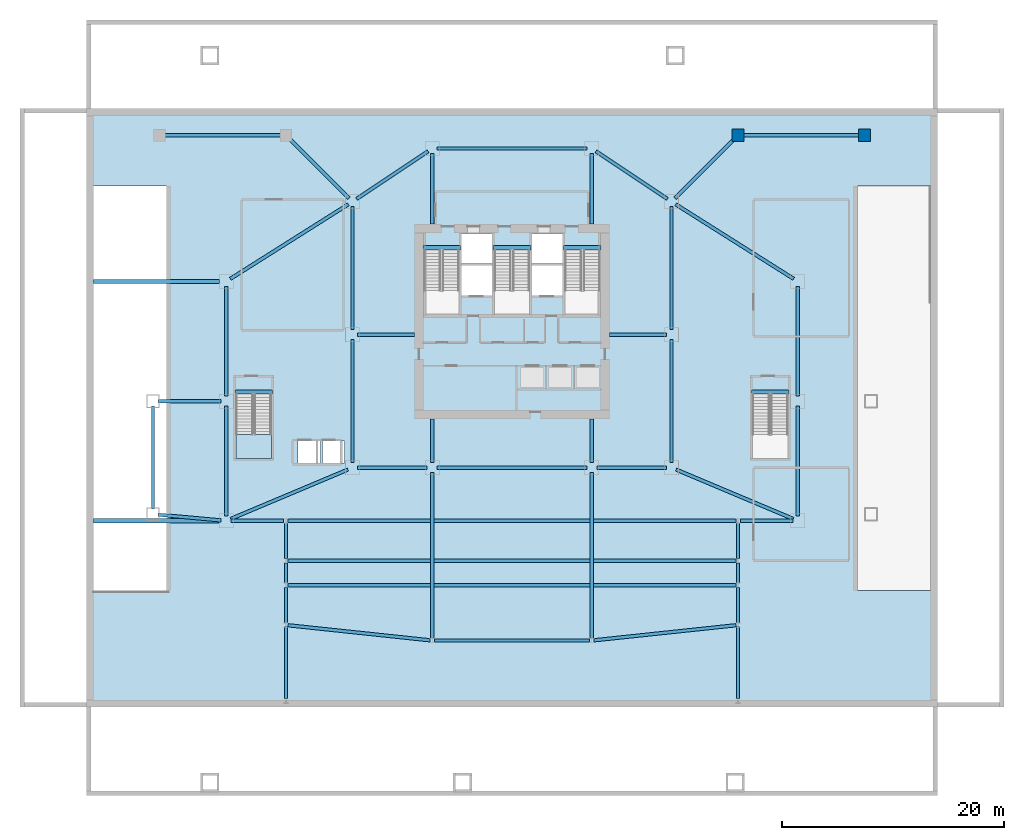
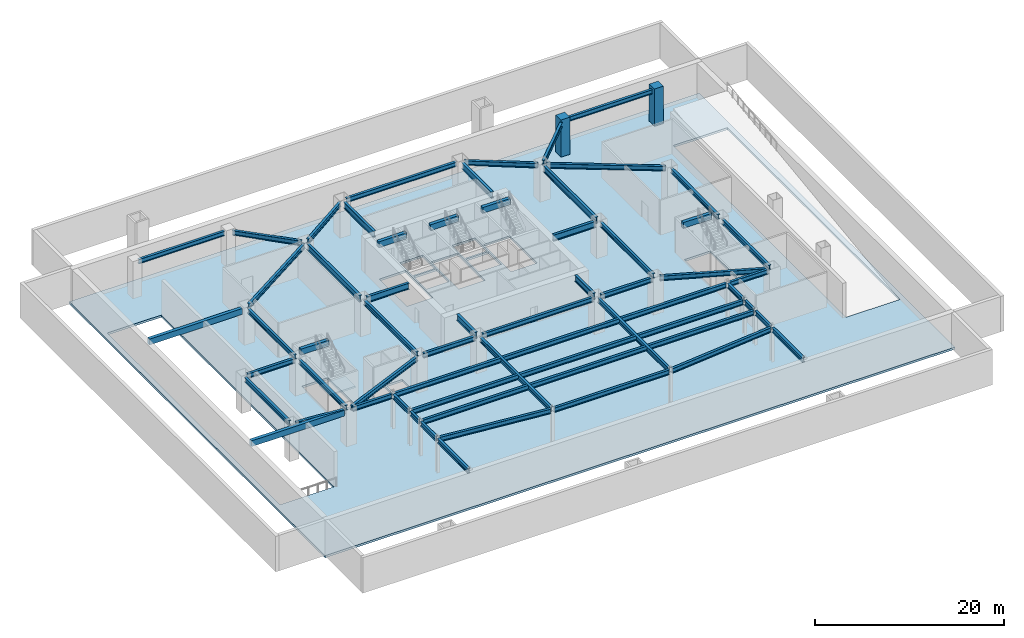
# One storey, part 4 of 15: 56 beams, 2 columns, 2 slabs, 1 element without a shape of its own.
"""IFC4 building model written with IfcOpenShell, lengths in metres."""

from ifc_helpers import new_model, si_unit, direction, frame, origin, origin_2d, place, context, subcontext, project, spatial, polyline, rectangle, i_section, outline, extrude, material, layer, layer_set, material_profile, profile_set, type_object, element, aggregate, save


model = new_model("IFC4")

# Units and contexts
model_context = context("Model", 3, precision=1e-05, world=origin(), true_north=direction((0.0, 1.0)))
body_context = subcontext(model_context, "Body", "Model", "MODEL_VIEW")
ifc_project = project(units=[si_unit("LENGTHUNIT", "METRE"), si_unit("AREAUNIT", "SQUARE_METRE"), si_unit("VOLUMEUNIT", "CUBIC_METRE"), si_unit("PLANEANGLEUNIT", "RADIAN"), si_unit("MASSUNIT", "GRAM", prefix="KILO")], contexts=[model_context])

# Site, building, storey
site_placement = place(None, origin())
site = spatial("IfcSite", under=ifc_project, at=site_placement, CompositionType="ELEMENT")
building_placement = place(site_placement, origin())
building = spatial("IfcBuilding", under=site, at=building_placement, Name="Haolan Belvedere Tower", CompositionType="ELEMENT")
storey_placement = place(building_placement, frame((0.0, 0.0, -4.800048828125)))
storey = spatial("IfcBuildingStorey", under=building, at=storey_placement, Name="B1", CompositionType="ELEMENT", Elevation=-4.800048828125)

# Columns
ifc_material_1 = material(Name="Concrete C50/60", Category="concrete")
ifc_material_profile_1 = material_profile(ifc_material_1, rectangle(XDim=1.10009765625, YDim=1.10009765625, at=origin_2d()), Name="Concrete C50/60")
ifc_profile_set_1 = profile_set([ifc_material_profile_1], Name="Concrete C50/60")
column_type = type_object("IfcColumnType", Name="COL-RC1100x1100", PredefinedType="COLUMN", material=ifc_profile_set_1)
for number, where, z_axis, x_axis, name in (
    (1, (58.800048828125, 51.60009765625, 0.0), (0.0, 0.0, 1.0), (1.0, 0.0, 0.0), "B1 column PC-NE-1 (RC1100x1100)"),
    (2, (70.199951171875, 51.60009765625, 0.0), (0.0, 0.0, 1.0), (1.0, 0.0, 0.0), "B1 column PC-NE-2 (RC1100x1100)"),
):
    element("IfcColumn", number, at=place(storey_placement, frame(where, z_axis=z_axis, x_axis=x_axis)), inside=storey, type_object=column_type, Name=name, PredefinedType="COLUMN", context=body_context, shape_type="SweptSolid", body=[
        extrude(rectangle(XDim=1.10009765625, YDim=1.10009765625, at=origin_2d()), origin(), (0.0, 0.0, 1.0), 4.800048828125),
    ])

# Beams
ifc_material_2 = material(Name="Steel Q355B", Category="steel")
ifc_material_profile_2 = material_profile(ifc_material_2, i_section(OverallWidth=0.300048828125, OverallDepth=0.587890625, WebThickness=0.011962890625, FlangeThickness=0.02001953125, FilletRadius=0.028076171875, at=origin_2d()), Name="Steel Q355B")
ifc_profile_set_2 = profile_set([ifc_material_profile_2], Name="Steel Q355B")
beam_type_1 = type_object("IfcBeamType", Name="BM-HM588x300x12x20", PredefinedType="SPANDREL", material=ifc_profile_set_2)
for number, where, z_axis, x_axis, name in (
    (3, (24.0, 22.050048828125, 4.2060546875), (0.0, 1.0, 0.0), (-1.0, 0.0, 0.0), "B1 spandrel girder MC-T3-SW-MC-T3-MW"),
    (4, (52.800048828125, 22.050048828125, 4.2060546875), (0.0, 1.0, 0.0), (-1.0, 0.0, 0.0), "B1 spandrel girder MC-T3-SE-MC-T3-ME"),
):
    element("IfcBeam", number, at=place(storey_placement, frame(where, z_axis=z_axis, x_axis=x_axis)), inside=storey, type_object=beam_type_1, Name=name, PredefinedType="SPANDREL", context=body_context, shape_type="SweptSolid", body=[
        extrude(i_section(OverallWidth=0.300048828125, OverallDepth=0.587890625, WebThickness=0.011962890625, FlangeThickness=0.02001953125, FilletRadius=0.028076171875, at=origin_2d()), origin(), (0.0, 0.0, 1.0), 11.099853515625),
    ])
for number, where, z_axis, x_axis, name in (
    (5, (24.449951171875, 21.60009765625, 4.2060546875), (1.0, 0.0, 0.0), (0.0, 1.0, 0.0), "B1 spandrel girder MC-T3-SW-MC-T3-S1"),
    (6, (46.050048828125, 21.60009765625, 4.2060546875), (1.0, 0.0, 0.0), (0.0, 1.0, 0.0), "B1 spandrel girder MC-T3-S2-MC-T3-SE"),
):
    element("IfcBeam", number, at=place(storey_placement, frame(where, z_axis=z_axis, x_axis=x_axis)), inside=storey, type_object=beam_type_1, Name=name, PredefinedType="SPANDREL", context=body_context, shape_type="SweptSolid", body=[
        extrude(i_section(OverallWidth=0.300048828125, OverallDepth=0.587890625, WebThickness=0.011962890625, FlangeThickness=0.02001953125, FilletRadius=0.028076171875, at=origin_2d()), origin(), (0.0, 0.0, 1.0), 6.300048828125),
    ])
beam_1_placement = place(storey_placement, frame((31.64990234375, 21.60009765625, 4.2060546875), z_axis=(1.0, 0.0, 0.0), x_axis=(0.0, 1.0, 0.0)))
element("IfcBeam", 7, at=beam_1_placement, inside=storey, type_object=beam_type_1, Name="B1 spandrel girder MC-T3-S1-MC-T3-S2", PredefinedType="SPANDREL", context=body_context, shape_type="SweptSolid", body=[
    extrude(i_section(OverallWidth=0.300048828125, OverallDepth=0.587890625, WebThickness=0.011962890625, FlangeThickness=0.02001953125, FilletRadius=0.028076171875, at=origin_2d()), origin(), (0.0, 0.0, 1.0), 13.5),
])
for number, where, z_axis, x_axis, name in (
    (8, (24.37451171875, 45.849609375, 4.2060546875), (0.832050294338, 0.554700196225, 0.0), (-0.554700196225, 0.832050294338, 0.0), "B1 spandrel girder MC-T3-NW-MC-T3-N1"),
    (9, (45.974365234375, 50.150390625, 4.2060546875), (0.832050294338, -0.554700196225, 0.0), (0.554700196225, 0.832050294338, 0.0), "B1 spandrel girder MC-T3-N2-MC-T3-NE"),
):
    element("IfcBeam", number, at=place(storey_placement, frame(where, z_axis=z_axis, x_axis=x_axis)), inside=storey, type_object=beam_type_1, Name=name, PredefinedType="SPANDREL", context=body_context, shape_type="SweptSolid", body=[
        extrude(i_section(OverallWidth=0.300048828125, OverallDepth=0.587890625, WebThickness=0.011962890625, FlangeThickness=0.02001953125, FilletRadius=0.028076171875, at=origin_2d()), origin(), (0.0, 0.0, 1.0), 7.75341796875),
    ])
beam_2_placement = place(storey_placement, frame((31.64990234375, 50.39990234375, 4.2060546875), z_axis=(1.0, 0.0, 0.0), x_axis=(0.0, 1.0, 0.0)))
element("IfcBeam", 10, at=beam_2_placement, inside=storey, type_object=beam_type_1, Name="B1 spandrel girder MC-T3-N1-MC-T3-N2", PredefinedType="SPANDREL", context=body_context, shape_type="SweptSolid", body=[
    extrude(i_section(OverallWidth=0.300048828125, OverallDepth=0.587890625, WebThickness=0.011962890625, FlangeThickness=0.02001953125, FilletRadius=0.028076171875, at=origin_2d()), origin(), (0.0, 0.0, 1.0), 13.5),
])
for number, where, z_axis, x_axis, name in (
    (11, (12.60009765625, 17.25, 4.2060546875), (0.0, 1.0, 0.0), (-1.0, 0.0, 0.0), "B1 spandrel girder MC-T2-SW-MC-T2-MW"),
    (12, (12.60009765625, 28.050048828125, 4.2060546875), (0.0, 1.0, 0.0), (-1.0, 0.0, 0.0), "B1 spandrel girder MC-T2-MW-MC-T2-NW"),
):
    element("IfcBeam", number, at=place(storey_placement, frame(where, z_axis=z_axis, x_axis=x_axis)), inside=storey, type_object=beam_type_1, Name=name, PredefinedType="SPANDREL", context=body_context, shape_type="SweptSolid", body=[
        extrude(i_section(OverallWidth=0.300048828125, OverallDepth=0.587890625, WebThickness=0.011962890625, FlangeThickness=0.02001953125, FilletRadius=0.028076171875, at=origin_2d()), origin(), (0.0, 0.0, 1.0), 9.89990234375),
    ])
beam_3_placement = place(storey_placement, frame((13.0146484375, 16.974609375, 4.2060546875), z_axis=(0.921637779233, 0.388051290284, 0.0), x_axis=(-0.388051290284, 0.921637779233, 0.0)))
element("IfcBeam", 13, at=beam_3_placement, inside=storey, type_object=beam_type_1, Name="B1 spandrel girder MC-T2-SW-MC-T3-SW", PredefinedType="SPANDREL", context=body_context, shape_type="SweptSolid", body=[
    extrude(i_section(OverallWidth=0.300048828125, OverallDepth=0.587890625, WebThickness=0.011962890625, FlangeThickness=0.02001953125, FilletRadius=0.028076171875, at=origin_2d()), origin(), (0.0, 0.0, 1.0), 11.46923828125),
])
beam_4_placement = place(storey_placement, frame((12.98046875, 38.640380859375, 4.2060546875), z_axis=(0.845497201575, 0.5339798518, 0.0), x_axis=(-0.5339798518, 0.845497201575, 0.0)))
element("IfcBeam", 14, at=beam_4_placement, inside=storey, type_object=beam_type_1, Name="B1 spandrel girder MC-T2-NW-MC-T3-NW", PredefinedType="SPANDREL", context=body_context, shape_type="SweptSolid", body=[
    extrude(i_section(OverallWidth=0.300048828125, OverallDepth=0.587890625, WebThickness=0.011962890625, FlangeThickness=0.02001953125, FilletRadius=0.028076171875, at=origin_2d()), origin(), (0.0, 0.0, 1.0), 12.583251953125),
])
for number, where, z_axis, x_axis, name in (
    (15, (64.199951171875, 17.25, 4.2060546875), (0.0, 1.0, 0.0), (-1.0, 0.0, 0.0), "B1 spandrel girder MC-T4-SE-MC-T4-ME"),
    (16, (64.199951171875, 28.050048828125, 4.2060546875), (0.0, 1.0, 0.0), (-1.0, 0.0, 0.0), "B1 spandrel girder MC-T4-ME-MC-T4-NE"),
):
    element("IfcBeam", number, at=place(storey_placement, frame(where, z_axis=z_axis, x_axis=x_axis)), inside=storey, type_object=beam_type_1, Name=name, PredefinedType="SPANDREL", context=body_context, shape_type="SweptSolid", body=[
        extrude(i_section(OverallWidth=0.300048828125, OverallDepth=0.587890625, WebThickness=0.011962890625, FlangeThickness=0.02001953125, FilletRadius=0.028076171875, at=origin_2d()), origin(), (0.0, 0.0, 1.0), 9.89990234375),
    ])
beam_5_placement = place(storey_placement, frame((53.21484375, 21.42529296875, 4.2060546875), z_axis=(0.92163457375, -0.38805890335, 0.0), x_axis=(0.38805890335, 0.92163457375, 0.0)))
element("IfcBeam", 17, at=beam_5_placement, inside=storey, type_object=beam_type_1, Name="B1 spandrel girder MC-T3-SE-MC-T4-SE", PredefinedType="SPANDREL", context=body_context, shape_type="SweptSolid", body=[
    extrude(i_section(OverallWidth=0.300048828125, OverallDepth=0.587890625, WebThickness=0.011962890625, FlangeThickness=0.02001953125, FilletRadius=0.028076171875, at=origin_2d()), origin(), (0.0, 0.0, 1.0), 11.468994140625),
])
beam_6_placement = place(storey_placement, frame((53.180419921875, 45.359619140625, 4.2060546875), z_axis=(0.845497201575, -0.5339798518, 0.0), x_axis=(0.5339798518, 0.845497201575, 0.0)))
element("IfcBeam", 18, at=beam_6_placement, inside=storey, type_object=beam_type_1, Name="B1 spandrel girder MC-T3-NE-MC-T4-NE", PredefinedType="SPANDREL", context=body_context, shape_type="SweptSolid", body=[
    extrude(i_section(OverallWidth=0.300048828125, OverallDepth=0.587890625, WebThickness=0.011962890625, FlangeThickness=0.02001953125, FilletRadius=0.028076171875, at=origin_2d()), origin(), (0.0, 0.0, 1.0), 12.583251953125),
])
beam_7_placement = place(storey_placement, frame((6.0, 17.85009765625, 4.2060546875), z_axis=(0.0, 1.0, 0.0), x_axis=(-1.0, 0.0, 0.0)))
element("IfcBeam", 19, at=beam_7_placement, inside=storey, type_object=beam_type_1, Name="B1 spandrel girder MC-T1-SW-MC-T1-NW", PredefinedType="SPANDREL", context=body_context, shape_type="SweptSolid", body=[
    extrude(i_section(OverallWidth=0.300048828125, OverallDepth=0.587890625, WebThickness=0.011962890625, FlangeThickness=0.02001953125, FilletRadius=0.028076171875, at=origin_2d()), origin(), (0.0, 0.0, 1.0), 9.2998046875),
])
beam_8_placement = place(storey_placement, frame((6.4482421875, 17.359375, 4.2060546875), z_axis=(0.995892507606, -0.090543433189, 0.0), x_axis=(0.090543433189, 0.995892507606, 0.0)))
element("IfcBeam", 20, at=beam_8_placement, inside=storey, type_object=beam_type_1, Name="B1 spandrel girder MC-T1-SW-MC-T2-SW", PredefinedType="SPANDREL", context=body_context, shape_type="SweptSolid", body=[
    extrude(i_section(OverallWidth=0.300048828125, OverallDepth=0.587890625, WebThickness=0.011962890625, FlangeThickness=0.02001953125, FilletRadius=0.028076171875, at=origin_2d()), origin(), (0.0, 0.0, 1.0), 5.72705078125),
])
beam_9_placement = place(storey_placement, frame((6.449951171875, 27.60009765625, 4.2060546875), z_axis=(1.0, 0.0, 0.0), x_axis=(0.0, 1.0, 0.0)))
element("IfcBeam", 21, at=beam_9_placement, inside=storey, type_object=beam_type_1, Name="B1 spandrel girder MC-T1-NW-MC-T2-MW", PredefinedType="SPANDREL", context=body_context, shape_type="SweptSolid", body=[
    extrude(i_section(OverallWidth=0.300048828125, OverallDepth=0.587890625, WebThickness=0.011962890625, FlangeThickness=0.02001953125, FilletRadius=0.028076171875, at=origin_2d()), origin(), (0.0, 0.0, 1.0), 5.699951171875),
])
beam_10_placement = place(storey_placement, frame((7.050048828125, 51.60009765625, 4.2060546875), z_axis=(1.0, 0.0, 0.0), x_axis=(0.0, 1.0, 0.0)))
element("IfcBeam", 22, at=beam_10_placement, inside=storey, type_object=beam_type_1, Name="B1 spandrel girder PC-NW-1-PC-NW-2", PredefinedType="SPANDREL", context=body_context, shape_type="SweptSolid", body=[
    extrude(i_section(OverallWidth=0.300048828125, OverallDepth=0.587890625, WebThickness=0.011962890625, FlangeThickness=0.02001953125, FilletRadius=0.028076171875, at=origin_2d()), origin(), (0.0, 0.0, 1.0), 10.5),
])
beam_11_placement = place(storey_placement, frame((18.318115234375, 51.28173828125, 4.2060546875), z_axis=(0.707122873923, -0.707090688084, 0.0), x_axis=(0.707090688084, 0.707122873923, 0.0)))
element("IfcBeam", 23, at=beam_11_placement, inside=storey, type_object=beam_type_1, Name="B1 spandrel girder PC-NW-2-MC-T3-NW", PredefinedType="SPANDREL", context=body_context, shape_type="SweptSolid", body=[
    extrude(i_section(OverallWidth=0.300048828125, OverallDepth=0.587890625, WebThickness=0.011962890625, FlangeThickness=0.02001953125, FilletRadius=0.028076171875, at=origin_2d()), origin(), (0.0, 0.0, 1.0), 7.58544921875),
])
beam_12_placement = place(storey_placement, frame((53.1181640625, 45.918212890625, 4.2060546875), z_axis=(0.707106781187, 0.707106781187, 0.0), x_axis=(-0.707106781187, 0.707106781187, 0.0)))
element("IfcBeam", 24, at=beam_12_placement, inside=storey, type_object=beam_type_1, Name="B1 spandrel girder MC-T3-NE-PC-NE-1", PredefinedType="SPANDREL", context=body_context, shape_type="SweptSolid", body=[
    extrude(i_section(OverallWidth=0.300048828125, OverallDepth=0.587890625, WebThickness=0.011962890625, FlangeThickness=0.02001953125, FilletRadius=0.028076171875, at=origin_2d()), origin(), (0.0, 0.0, 1.0), 7.585205078125),
])
beam_13_placement = place(storey_placement, frame((59.25, 51.60009765625, 4.2060546875), z_axis=(1.0, 0.0, 0.0), x_axis=(0.0, 1.0, 0.0)))
element("IfcBeam", 25, at=beam_13_placement, inside=storey, type_object=beam_type_1, Name="B1 spandrel girder PC-NE-1-PC-NE-2", PredefinedType="SPANDREL", context=body_context, shape_type="SweptSolid", body=[
    extrude(i_section(OverallWidth=0.300048828125, OverallDepth=0.587890625, WebThickness=0.011962890625, FlangeThickness=0.02001953125, FilletRadius=0.028076171875, at=origin_2d()), origin(), (0.0, 0.0, 1.0), 10.5),
])
for number, where, z_axis, x_axis, name in (
    (26, (18.0, 0.75, 4.2060546875), (0.0, 1.0, 0.0), (-1.0, 0.0, 0.0), "B1 spandrel girder PC-S0-W-PC-SW-1"),
    (27, (58.800048828125, 0.75, 4.2060546875), (0.0, 1.0, 0.0), (-1.0, 0.0, 0.0), "B1 spandrel girder PC-S0-E-PC-SE-1"),
):
    element("IfcBeam", number, at=place(storey_placement, frame(where, z_axis=z_axis, x_axis=x_axis)), inside=storey, type_object=beam_type_1, Name=name, PredefinedType="SPANDREL", context=body_context, shape_type="SweptSolid", body=[
        extrude(i_section(OverallWidth=0.300048828125, OverallDepth=0.587890625, WebThickness=0.011962890625, FlangeThickness=0.02001953125, FilletRadius=0.028076171875, at=origin_2d()), origin(), (0.0, 0.0, 1.0), 6.449951171875),
    ])
beam_14_placement = place(storey_placement, frame((18.198974609375, 7.37890625, 4.2060546875), z_axis=(0.994421801151, -0.105476449483, 0.0), x_axis=(0.105476449483, 0.994421801151, 0.0)))
element("IfcBeam", 28, at=beam_14_placement, inside=storey, type_object=beam_type_1, Name="B1 spandrel girder PC-SW-1-PC-SM-1", PredefinedType="SPANDREL", context=body_context, shape_type="SweptSolid", body=[
    extrude(i_section(OverallWidth=0.300048828125, OverallDepth=0.587890625, WebThickness=0.011962890625, FlangeThickness=0.02001953125, FilletRadius=0.028076171875, at=origin_2d()), origin(), (0.0, 0.0, 1.0), 12.8740234375),
])
beam_15_placement = place(storey_placement, frame((31.39990234375, 6.0, 4.2060546875), z_axis=(1.0, 0.0, 0.0), x_axis=(0.0, 1.0, 0.0)))
element("IfcBeam", 29, at=beam_15_placement, inside=storey, type_object=beam_type_1, Name="B1 spandrel girder PC-SM-1-PC-SM-2", PredefinedType="SPANDREL", context=body_context, shape_type="SweptSolid", body=[
    extrude(i_section(OverallWidth=0.300048828125, OverallDepth=0.587890625, WebThickness=0.011962890625, FlangeThickness=0.02001953125, FilletRadius=0.028076171875, at=origin_2d()), origin(), (0.0, 0.0, 1.0), 14.0),
])
beam_16_placement = place(storey_placement, frame((45.798828125, 6.02099609375, 4.2060546875), z_axis=(0.994421801151, 0.105476449483, 0.0), x_axis=(-0.105476449483, 0.994421801151, 0.0)))
element("IfcBeam", 30, at=beam_16_placement, inside=storey, type_object=beam_type_1, Name="B1 spandrel girder PC-SM-2-PC-SE-1", PredefinedType="SPANDREL", context=body_context, shape_type="SweptSolid", body=[
    extrude(i_section(OverallWidth=0.300048828125, OverallDepth=0.587890625, WebThickness=0.011962890625, FlangeThickness=0.02001953125, FilletRadius=0.028076171875, at=origin_2d()), origin(), (0.0, 0.0, 1.0), 12.8740234375),
])
for number, where, z_axis, x_axis, name in (
    (31, (18.0, 7.60009765625, 4.2060546875), (0.0, 1.0, 0.0), (-1.0, 0.0, 0.0), "B1 spandrel girder PC-SW-1-PC-CS2-W"),
    (32, (58.800048828125, 7.60009765625, 4.2060546875), (0.0, 1.0, 0.0), (-1.0, 0.0, 0.0), "B1 spandrel girder PC-SE-1-PC-CS2-E"),
):
    element("IfcBeam", number, at=place(storey_placement, frame(where, z_axis=z_axis, x_axis=x_axis)), inside=storey, type_object=beam_type_1, Name=name, PredefinedType="SPANDREL", context=body_context, shape_type="SweptSolid", body=[
        extrude(i_section(OverallWidth=0.300048828125, OverallDepth=0.587890625, WebThickness=0.011962890625, FlangeThickness=0.02001953125, FilletRadius=0.028076171875, at=origin_2d()), origin(), (0.0, 0.0, 1.0), 3.199951171875),
    ])
beam_17_placement = place(storey_placement, frame((18.199951171875, 11.0, 4.2060546875), z_axis=(1.0, 0.0, 0.0), x_axis=(0.0, 1.0, 0.0)))
element("IfcBeam", 33, at=beam_17_placement, inside=storey, type_object=beam_type_1, Name="B1 spandrel girder PC-CS2-W-PC-CS2-E", PredefinedType="SPANDREL", context=body_context, shape_type="SweptSolid", body=[
    extrude(i_section(OverallWidth=0.300048828125, OverallDepth=0.587890625, WebThickness=0.011962890625, FlangeThickness=0.02001953125, FilletRadius=0.028076171875, at=origin_2d()), origin(), (0.0, 0.0, 1.0), 40.400146484375),
])
for number, where, z_axis, x_axis, name in (
    (34, (18.0, 11.199951171875, 4.2060546875), (0.0, 1.0, 0.0), (-1.0, 0.0, 0.0), "B1 spandrel girder PC-CS2-W-PC-CS3-W"),
    (35, (58.800048828125, 11.199951171875, 4.2060546875), (0.0, 1.0, 0.0), (-1.0, 0.0, 0.0), "B1 spandrel girder PC-CS2-E-PC-CS3-E"),
):
    element("IfcBeam", number, at=place(storey_placement, frame(where, z_axis=z_axis, x_axis=x_axis)), inside=storey, type_object=beam_type_1, Name=name, PredefinedType="SPANDREL", context=body_context, shape_type="SweptSolid", body=[
        extrude(i_section(OverallWidth=0.300048828125, OverallDepth=0.587890625, WebThickness=0.011962890625, FlangeThickness=0.02001953125, FilletRadius=0.028076171875, at=origin_2d()), origin(), (0.0, 0.0, 1.0), 1.800048828125),
    ])
beam_18_placement = place(storey_placement, frame((18.199951171875, 13.199951171875, 4.2060546875), z_axis=(1.0, 0.0, 0.0), x_axis=(0.0, 1.0, 0.0)))
element("IfcBeam", 36, at=beam_18_placement, inside=storey, type_object=beam_type_1, Name="B1 spandrel girder PC-CS3-W-PC-CS3-E", PredefinedType="SPANDREL", context=body_context, shape_type="SweptSolid", body=[
    extrude(i_section(OverallWidth=0.300048828125, OverallDepth=0.587890625, WebThickness=0.011962890625, FlangeThickness=0.02001953125, FilletRadius=0.028076171875, at=origin_2d()), origin(), (0.0, 0.0, 1.0), 40.400146484375),
])
for number, where, z_axis, x_axis, name in (
    (37, (18.0, 13.39990234375, 4.2060546875), (0.0, 1.0, 0.0), (-1.0, 0.0, 0.0), "B1 spandrel girder PC-CS3-W-PC-CS4-W"),
    (38, (58.800048828125, 13.39990234375, 4.2060546875), (0.0, 1.0, 0.0), (-1.0, 0.0, 0.0), "B1 spandrel girder PC-CS3-E-PC-CS4-E"),
):
    element("IfcBeam", number, at=place(storey_placement, frame(where, z_axis=z_axis, x_axis=x_axis)), inside=storey, type_object=beam_type_1, Name=name, PredefinedType="SPANDREL", context=body_context, shape_type="SweptSolid", body=[
        extrude(i_section(OverallWidth=0.300048828125, OverallDepth=0.587890625, WebThickness=0.011962890625, FlangeThickness=0.02001953125, FilletRadius=0.028076171875, at=origin_2d()), origin(), (0.0, 0.0, 1.0), 3.2001953125),
    ])
beam_19_placement = place(storey_placement, frame((18.199951171875, 16.800048828125, 4.2060546875), z_axis=(1.0, 0.0, 0.0), x_axis=(0.0, 1.0, 0.0)))
element("IfcBeam", 39, at=beam_19_placement, inside=storey, type_object=beam_type_1, Name="B1 spandrel girder PC-CS4-W-PC-CS4-E", PredefinedType="SPANDREL", context=body_context, shape_type="SweptSolid", body=[
    extrude(i_section(OverallWidth=0.300048828125, OverallDepth=0.587890625, WebThickness=0.011962890625, FlangeThickness=0.02001953125, FilletRadius=0.028076171875, at=origin_2d()), origin(), (0.0, 0.0, 1.0), 40.400146484375),
])
for number, where, z_axis, x_axis, name in (
    (40, (17.800048828125, 16.800048828125, 4.2060546875), (-1.0, 0.0, 0.0), (0.0, -1.0, 0.0), "B1 spandrel girder PC-CS4-W-MC-T2-SW"),
    (41, (59.0, 16.800048828125, 4.2060546875), (1.0, 0.0, 0.0), (0.0, 1.0, 0.0), "B1 spandrel girder PC-CS4-E-MC-T4-SE"),
):
    element("IfcBeam", number, at=place(storey_placement, frame(where, z_axis=z_axis, x_axis=x_axis)), inside=storey, type_object=beam_type_1, Name=name, PredefinedType="SPANDREL", context=body_context, shape_type="SweptSolid", body=[
        extrude(i_section(OverallWidth=0.300048828125, OverallDepth=0.587890625, WebThickness=0.011962890625, FlangeThickness=0.02001953125, FilletRadius=0.028076171875, at=origin_2d()), origin(), (0.0, 0.0, 1.0), 4.75),
    ])
for number, where, z_axis, x_axis, name in (
    (42, (31.199951171875, 6.199951171875, 4.2060546875), (0.0, 1.0, 0.0), (-1.0, 0.0, 0.0), "B1 spandrel girder PC-SM-1-MC-T3-S1"),
    (43, (45.60009765625, 6.199951171875, 4.2060546875), (0.0, 1.0, 0.0), (-1.0, 0.0, 0.0), "B1 spandrel girder PC-SM-2-MC-T3-S2"),
):
    element("IfcBeam", number, at=place(storey_placement, frame(where, z_axis=z_axis, x_axis=x_axis)), inside=storey, type_object=beam_type_1, Name=name, PredefinedType="SPANDREL", context=body_context, shape_type="SweptSolid", body=[
        extrude(i_section(OverallWidth=0.300048828125, OverallDepth=0.587890625, WebThickness=0.011962890625, FlangeThickness=0.02001953125, FilletRadius=0.028076171875, at=origin_2d()), origin(), (0.0, 0.0, 1.0), 14.949951171875),
    ])
ifc_material_profile_3 = material_profile(ifc_material_2, i_section(OverallWidth=0.300048828125, OverallDepth=0.800048828125, WebThickness=0.013916015625, FlangeThickness=0.02587890625, FilletRadius=0.028076171875, at=origin_2d()), Name="Steel Q355B")
ifc_profile_set_3 = profile_set([ifc_material_profile_3], Name="Steel Q355B")
beam_type_2 = type_object("IfcBeamType", Name="BM-HN800x300x14x26", PredefinedType="BEAM", material=ifc_profile_set_3)
for number, where, z_axis, x_axis, name in (
    (44, (24.0, 34.050048828125, 4.10009765625), (0.0, 1.0, 0.0), (-1.0, 0.0, 0.0), "B1 primary girder MC-T3-MW-MC-T3-NW"),
    (45, (52.800048828125, 34.050048828125, 4.10009765625), (0.0, 1.0, 0.0), (-1.0, 0.0, 0.0), "B1 primary girder MC-T3-ME-MC-T3-NE"),
):
    element("IfcBeam", number, at=place(storey_placement, frame(where, z_axis=z_axis, x_axis=x_axis)), inside=storey, type_object=beam_type_2, Name=name, PredefinedType="BEAM", context=body_context, shape_type="SweptSolid", body=[
        extrude(i_section(OverallWidth=0.300048828125, OverallDepth=0.800048828125, WebThickness=0.013916015625, FlangeThickness=0.02587890625, FilletRadius=0.028076171875, at=origin_2d()), origin(), (0.0, 0.0, 1.0), 11.099853515625),
    ])
for number, where, z_axis, x_axis, name in (
    (46, (24.449951171875, 33.60009765625, 4.10009765625), (1.0, 0.0, 0.0), (0.0, 1.0, 0.0), "B1 core tie beam from MC-T3-MW"),
    (47, (52.35009765625, 33.60009765625, 4.10009765625), (-1.0, 0.0, 0.0), (0.0, -1.0, 0.0), "B1 core tie beam from MC-T3-ME"),
):
    element("IfcBeam", number, at=place(storey_placement, frame(where, z_axis=z_axis, x_axis=x_axis)), inside=storey, type_object=beam_type_2, Name=name, PredefinedType="BEAM", context=body_context, shape_type="SweptSolid", body=[
        extrude(i_section(OverallWidth=0.300048828125, OverallDepth=0.800048828125, WebThickness=0.013916015625, FlangeThickness=0.02587890625, FilletRadius=0.028076171875, at=origin_2d()), origin(), (0.0, 0.0, 1.0), 5.150146484375),
    ])
for number, where, z_axis, x_axis, name in (
    (48, (31.199951171875, 22.050048828125, 4.10009765625), (0.0, 1.0, 0.0), (-1.0, 0.0, 0.0), "B1 core tie beam from MC-T3-S1"),
    (49, (45.60009765625, 22.050048828125, 4.10009765625), (0.0, 1.0, 0.0), (-1.0, 0.0, 0.0), "B1 core tie beam from MC-T3-S2"),
):
    element("IfcBeam", number, at=place(storey_placement, frame(where, z_axis=z_axis, x_axis=x_axis)), inside=storey, type_object=beam_type_2, Name=name, PredefinedType="BEAM", context=body_context, shape_type="SweptSolid", body=[
        extrude(i_section(OverallWidth=0.300048828125, OverallDepth=0.800048828125, WebThickness=0.013916015625, FlangeThickness=0.02587890625, FilletRadius=0.028076171875, at=origin_2d()), origin(), (0.0, 0.0, 1.0), 3.949951171875),
    ])
for number, where, z_axis, x_axis, name in (
    (50, (31.199951171875, 49.949951171875, 4.10009765625), (0.0, -1.0, 0.0), (1.0, 0.0, 0.0), "B1 core tie beam from MC-T3-N1"),
    (51, (45.60009765625, 49.949951171875, 4.10009765625), (0.0, -1.0, 0.0), (1.0, 0.0, 0.0), "B1 core tie beam from MC-T3-N2"),
):
    element("IfcBeam", number, at=place(storey_placement, frame(where, z_axis=z_axis, x_axis=x_axis)), inside=storey, type_object=beam_type_2, Name=name, PredefinedType="BEAM", context=body_context, shape_type="SweptSolid", body=[
        extrude(i_section(OverallWidth=0.300048828125, OverallDepth=0.800048828125, WebThickness=0.013916015625, FlangeThickness=0.02587890625, FilletRadius=0.028076171875, at=origin_2d()), origin(), (0.0, 0.0, 1.0), 6.349853515625),
    ])
ifc_material_profile_4 = material_profile(ifc_material_1, rectangle(XDim=0.39990234375, YDim=0.75, at=origin_2d()), Name="Concrete C50/60")
ifc_profile_set_4 = profile_set([ifc_material_profile_4], Name="Concrete C50/60")
beam_type_3 = type_object("IfcBeamType", Name="BM-RC400x750", PredefinedType="T_BEAM", material=ifc_profile_set_4)
for number, where, z_axis, x_axis, name in (
    (52, (0.64990234375, 16.800048828125, 4.125), (1.0, 0.0, 0.0), (0.0, 1.0, 0.0), "B1 basement RC tie beam TB-01-1"),
    (53, (0.64990234375, 38.39990234375, 4.125), (1.0, 0.0, 0.0), (0.0, 1.0, 0.0), "B1 basement RC tie beam TB-01-2"),
):
    element("IfcBeam", number, at=place(storey_placement, frame(where, z_axis=z_axis, x_axis=x_axis)), inside=storey, type_object=beam_type_3, Name=name, PredefinedType="T_BEAM", context=body_context, shape_type="SweptSolid", body=[
        extrude(rectangle(XDim=0.39990234375, YDim=0.75, at=origin_2d()), origin(), (0.0, 0.0, 1.0), 11.35009765625),
    ])
beam_20_placement = place(storey_placement, frame((30.3798828125, 41.429931640625, 4.425048828125), z_axis=(1.0, 0.0, 0.0), x_axis=(0.0, 1.0, 0.0)))
element("IfcBeam", 54, at=beam_20_placement, inside=storey, type_object=beam_type_3, Name="L00 stair ST1 RC header trimmer beam", PredefinedType="BEAM", context=body_context, shape_type="SweptSolid", body=[
    extrude(rectangle(XDim=0.39990234375, YDim=0.75, at=origin_2d()), origin(), (0.0, 0.0, 1.0), 3.360107421875),
])
beam_21_placement = place(storey_placement, frame((36.699951171875, 41.429931640625, 4.425048828125), z_axis=(1.0, 0.0, 0.0), x_axis=(0.0, 1.0, 0.0)))
element("IfcBeam", 55, at=beam_21_placement, inside=storey, type_object=beam_type_3, Name="L00 stair ST3 RC header trimmer beam", PredefinedType="BEAM", context=body_context, shape_type="SweptSolid", body=[
    extrude(rectangle(XDim=0.39990234375, YDim=0.75, at=origin_2d()), origin(), (0.0, 0.0, 1.0), 3.400146484375),
])
beam_22_placement = place(storey_placement, frame((43.06005859375, 41.429931640625, 4.425048828125), z_axis=(1.0, 0.0, 0.0), x_axis=(0.0, 1.0, 0.0)))
element("IfcBeam", 56, at=beam_22_placement, inside=storey, type_object=beam_type_3, Name="L00 stair ST2 RC header trimmer beam", PredefinedType="BEAM", context=body_context, shape_type="SweptSolid", body=[
    extrude(rectangle(XDim=0.39990234375, YDim=0.75, at=origin_2d()), origin(), (0.0, 0.0, 1.0), 3.35986328125),
])
beam_23_placement = place(storey_placement, frame((13.389892578125, 28.429931640625, 4.425048828125), z_axis=(1.0, 0.0, 0.0), x_axis=(0.0, 1.0, 0.0)))
element("IfcBeam", 57, at=beam_23_placement, inside=storey, type_object=beam_type_3, Name="L00 podium stair ST4 RC header trimmer beam", PredefinedType="BEAM", context=body_context, shape_type="SweptSolid", body=[
    extrude(rectangle(XDim=0.39990234375, YDim=0.75, at=origin_2d()), origin(), (0.0, 0.0, 1.0), 3.400146484375),
])
beam_24_placement = place(storey_placement, frame((60.010009765625, 28.429931640625, 4.425048828125), z_axis=(1.0, 0.0, 0.0), x_axis=(0.0, 1.0, 0.0)))
element("IfcBeam", 58, at=beam_24_placement, inside=storey, type_object=beam_type_3, Name="L00 podium stair ST5 RC header trimmer beam", PredefinedType="BEAM", context=body_context, shape_type="SweptSolid", body=[
    extrude(rectangle(XDim=0.39990234375, YDim=0.75, at=origin_2d()), origin(), (0.0, 0.0, 1.0), 3.39990234375),
])

# Slab
ifc_material_3 = material(Name="Concrete C45/55", Category="concrete")
ifc_layer_1 = layer(ifc_material_3, 0.280029296875, Name="Concrete C45/55")
ifc_layer_set_1 = layer_set([ifc_layer_1], Name="Concrete C45/55")
slab_type_1 = type_object("IfcSlabType", Name="SL-FLR-280", PredefinedType="FLOOR", material=ifc_layer_set_1)
slab_1_placement = place(storey_placement, frame((0.0, 0.0, -0.280029296875)))
element("IfcSlab", 59, at=slab_1_placement, inside=storey, type_object=slab_type_1, Name="B1 structural floor slab", PredefinedType="FLOOR", context=body_context, shape_type="SweptSolid", body=[
    extrude(outline(polyline([(0.0, 0.0), (76.800048828125, 0.0), (76.800048828125, 54.0), (0.0, 54.0), (0.0, 0.0)]), holes=[polyline([(30.449951171875, 41.22998046875), (30.449951171875, 35.449951171875), (33.6298828125, 35.449951171875), (33.6298828125, 41.22998046875), (30.449951171875, 41.22998046875)]), polyline([(36.81005859375, 41.22998046875), (36.81005859375, 35.449951171875), (39.989990234375, 35.449951171875), (39.989990234375, 41.22998046875), (36.81005859375, 41.22998046875)]), polyline([(43.169921875, 41.22998046875), (43.169921875, 35.449951171875), (46.35009765625, 35.449951171875), (46.35009765625, 41.22998046875), (43.169921875, 41.22998046875)]), polyline([(13.5, 28.22998046875), (13.5, 22.449951171875), (16.679931640625, 22.449951171875), (16.679931640625, 28.22998046875), (13.5, 28.22998046875)]), polyline([(60.1201171875, 28.22998046875), (60.1201171875, 22.449951171875), (63.300048828125, 22.449951171875), (63.300048828125, 28.22998046875), (60.1201171875, 28.22998046875)]), polyline([(33.830078125, 40.050048828125), (36.610107421875, 40.050048828125), (36.610107421875, 42.75), (33.830078125, 42.75), (33.830078125, 40.050048828125)]), polyline([(33.830078125, 37.14990234375), (36.610107421875, 37.14990234375), (36.610107421875, 39.85009765625), (33.830078125, 39.85009765625), (33.830078125, 37.14990234375)]), polyline([(40.18994140625, 40.050048828125), (42.969970703125, 40.050048828125), (42.969970703125, 42.75), (40.18994140625, 42.75), (40.18994140625, 40.050048828125)]), polyline([(40.18994140625, 37.14990234375), (42.969970703125, 37.14990234375), (42.969970703125, 39.85009765625), (40.18994140625, 39.85009765625), (40.18994140625, 37.14990234375)]), polyline([(19.10009765625, 22.0), (21.10009765625, 22.0), (21.10009765625, 24.0), (19.10009765625, 24.0), (19.10009765625, 22.0)]), polyline([(21.300048828125, 22.0), (23.300048828125, 22.0), (23.300048828125, 24.0), (21.300048828125, 24.0), (21.300048828125, 22.0)]), polyline([(0.60009765625, 10.5), (7.199951171875, 10.5), (7.199951171875, 47.0), (0.60009765625, 47.0), (0.60009765625, 10.5)]), polyline([(69.60009765625, 10.5), (76.199951171875, 10.5), (76.199951171875, 47.0), (69.60009765625, 47.0), (69.60009765625, 10.5)])]), origin(), (0.0, 0.0, 1.0), 0.280029296875),
])

# Stair, slab
ifc_material_4 = material(Name="Concrete C40/50", Category="concrete")
stair_type = type_object("IfcStairType", Name="STR-DL-28R-171", PredefinedType="HALF_TURN_STAIR", material=ifc_material_4)
stair_placement = place(storey_placement, origin())
stair = element("IfcStair", 60, at=stair_placement, inside=storey, type_object=stair_type, Name="B1 West Podium Protected Exit Stair ST4", PredefinedType="HALF_TURN_STAIR")
ifc_layer_2 = layer(ifc_material_4, 0.199951171875, Name="Concrete C40/50")
ifc_layer_set_2 = layer_set([ifc_layer_2], Name="Concrete C40/50")
slab_type_2 = type_object("IfcSlabType", Name="SL-LAND-200", PredefinedType="LANDING", material=ifc_layer_set_2)
slab_2_placement = place(storey_placement, frame((0.0, 0.0, 2.199951171875)))
slab_2 = element("IfcSlab", 61, at=slab_2_placement, type_object=slab_type_2, Name="ST4 landing 1", PredefinedType="LANDING", context=body_context, shape_type="SweptSolid", body=[
    extrude(outline(polyline([(13.5, 24.590087890625), (13.5, 22.449951171875), (16.679931640625, 22.449951171875), (16.679931640625, 24.590087890625), (13.5, 24.590087890625)])), origin(), (0.0, 0.0, 1.0), 0.2001953125),
])
aggregate(stair, [slab_2])

save(model, "model.ifc")
